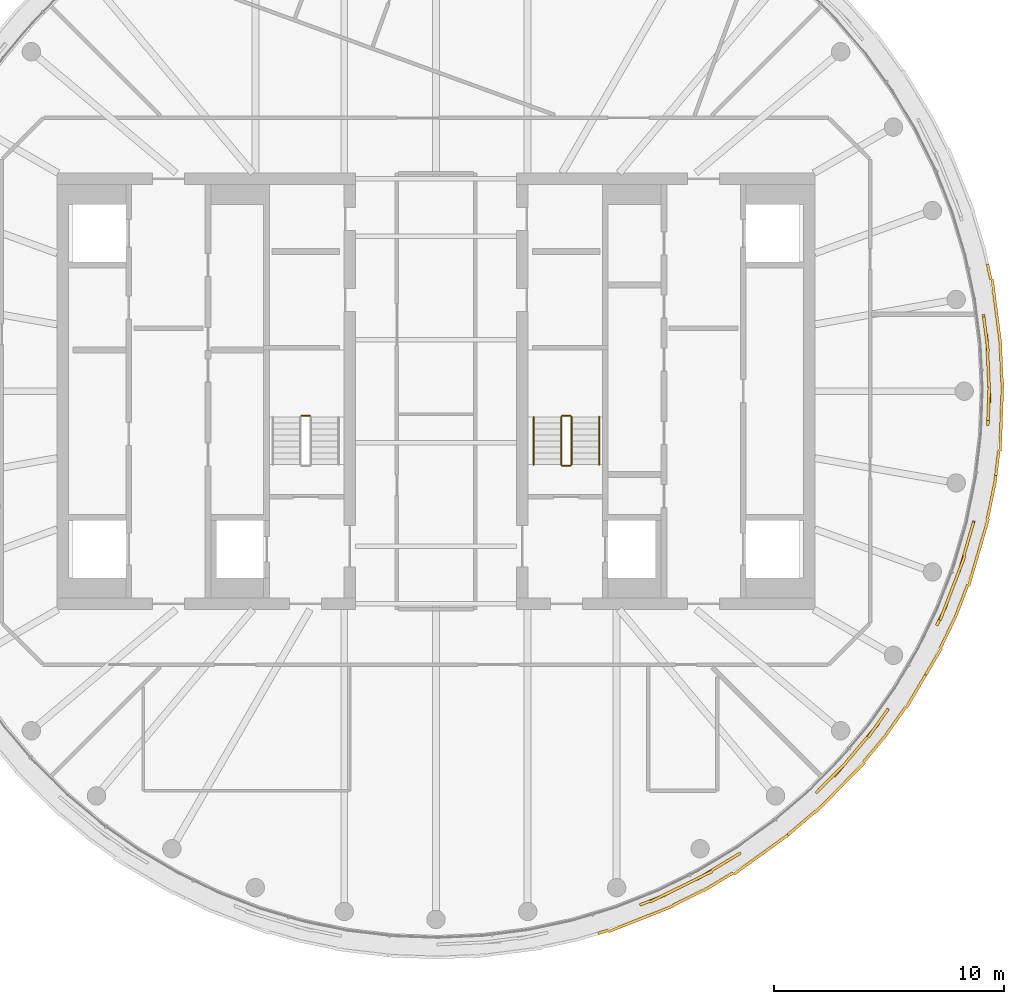
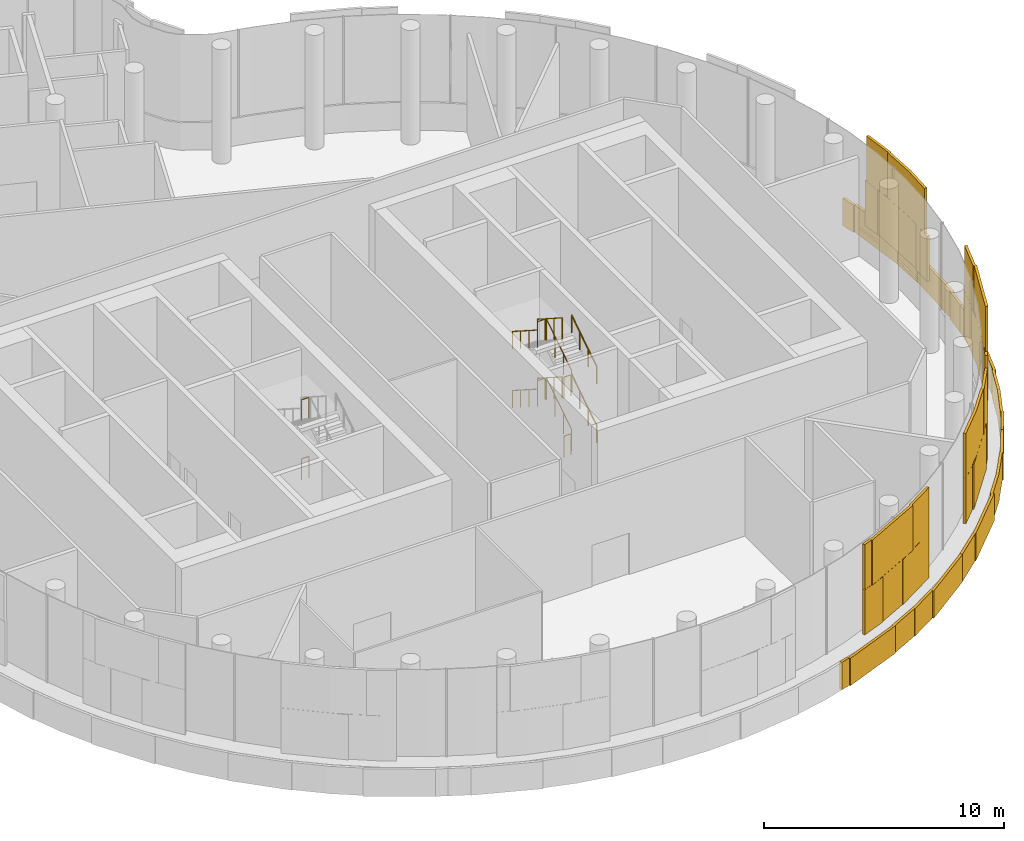
# One storey, part 16 of 18: 14 railings, 4 coverings.
"""IFC4 building model written with IfcOpenShell, lengths in metres."""

import ifcopenshell
import ifcopenshell.guid

model = None  # the IFC model being written
_history = None  # IfcOwnerHistory: only IFC2X3 demands one
_inside = {}  # id of a spatial element -> (the spatial element, [elements in it])
_under = {}  # id of a project, library or spatial element -> (it, [spatial elements below it])
_declared = {}  # id of a project -> (the project, [libraries it declares])
_typed = {}  # id of a type object -> (the type object, [elements of that type])
_made_of = {}  # id of a material, layer set ... -> (it, [elements and type objects made of it])


def new_model(schema):
    """Start an empty IFC model of exactly this schema.

    Asked for "IFC4X3", IfcOpenShell would pick the latest addendum, in which some entities
    have other attributes; the version numbers below select the first issue.
    IFC2X3 requires an IfcOwnerHistory on every rooted entity: one is made here for all.
    """
    global model, _history
    if schema == "IFC4X3":
        model = ifcopenshell.file(schema_version=(4, 3, 0, 0))
    else:
        model = ifcopenshell.file(schema=schema)
    _inside.clear()
    _under.clear()
    _declared.clear()
    _typed.clear()
    _made_of.clear()
    _history = None
    if model.schema == "IFC2X3":
        org = make("IfcOrganization", Name="unknown")
        user = make(
            "IfcPersonAndOrganization",
            ThePerson=make("IfcPerson", FamilyName="unknown"),
            TheOrganization=org,
        )
        app = make(
            "IfcApplication",
            ApplicationDeveloper=org,
            Version="unknown",
            ApplicationFullName="unknown",
            ApplicationIdentifier="unknown",
        )
        _history = make(
            "IfcOwnerHistory",
            OwningUser=user,
            OwningApplication=app,
            ChangeAction="ADDED",
            CreationDate=0,
        )
    return model


def make(cls, **values):
    """One entity of the class cls with the attributes given. An attribute that is None is left unset."""
    return model.create_entity(
        cls, **{name: value for name, value in values.items() if value is not None}
    )


def rooted(cls, **values):
    """An entity with a GlobalId (a new one), such as an element, a storey or a relation."""
    return make(cls, GlobalId=ifcopenshell.guid.new(), OwnerHistory=_history, **values)


def si_unit(unit_type, name, prefix=None):
    """IfcSIUnit, for example si_unit("LENGTHUNIT", "METRE", prefix="MILLI")."""
    return make("IfcSIUnit", UnitType=unit_type, Prefix=prefix, Name=name)


def assignment(units):
    """IfcUnitAssignment: the units of a project."""
    return None if units is None else make("IfcUnitAssignment", Units=units)


def point(xyz):
    """IfcCartesianPoint."""
    return None if xyz is None else make("IfcCartesianPoint", Coordinates=xyz)


def direction(xyz):
    """IfcDirection."""
    return None if xyz is None else make("IfcDirection", DirectionRatios=xyz)


def frame(location, z_axis=None, x_axis=None):
    """IfcAxis2Placement3D, a coordinate frame: its origin and axes. An axis left out is left unset."""
    return make(
        "IfcAxis2Placement3D",
        Location=point(location),
        Axis=direction(z_axis),
        RefDirection=direction(x_axis),
    )


def frame_2d(location, x_axis=None):
    """IfcAxis2Placement2D, a coordinate frame in the plane: its origin and x axis."""
    return make(
        "IfcAxis2Placement2D", Location=point(location), RefDirection=direction(x_axis)
    )


def origin():
    """The frame at (0, 0, 0) with its axes left unset."""
    return frame((0.0, 0.0, 0.0))


def origin_2d():
    """The frame at (0, 0) in the plane with its x axis left unset."""
    return frame_2d((0.0, 0.0))


def place(relative_to, where):
    """IfcLocalPlacement: puts the frame where relative to a parent placement (None: the world)."""
    return make(
        "IfcLocalPlacement", PlacementRelTo=relative_to, RelativePlacement=where
    )


def context(
    kind, dimensions, precision=None, world=None, true_north=None, identifier=None
):
    """IfcGeometricRepresentationContext, for example the 3D "Model" context."""
    return make(
        "IfcGeometricRepresentationContext",
        ContextIdentifier=identifier,
        ContextType=kind,
        CoordinateSpaceDimension=dimensions,
        Precision=precision,
        WorldCoordinateSystem=world,
        TrueNorth=true_north,
    )


def subcontext(parent, identifier, kind, view, scale=None):
    """IfcGeometricRepresentationSubContext, for example "Body" below "Model"."""
    return make(
        "IfcGeometricRepresentationSubContext",
        ContextIdentifier=identifier,
        ContextType=kind,
        ParentContext=parent,
        TargetScale=scale,
        TargetView=view,
    )


def project(units=None, contexts=None):
    """IfcProject with its units and contexts."""
    return rooted(
        "IfcProject",
        Name="project",
        RepresentationContexts=contexts,
        UnitsInContext=assignment(units),
    )


def spatial(cls, under=None, at=None, **own):
    """A site, building, storey or space (cls), placed at a placement, below another one or the project."""
    s = rooted(cls, ObjectPlacement=at, **own)
    if under is not None:
        _under.setdefault(under.id(), (under, []))[1].append(s)
    return s


def profile(cls, at=None, kind="AREA", **sizes):
    """A parametric profile (cls). Its sizes go by their IFC names, for example OverallWidth=200.0."""
    return make(cls, ProfileType=kind, Position=at, **sizes)


def rectangle(**sizes):
    """IfcRectangleProfileDef."""
    return profile("IfcRectangleProfileDef", **sizes)


def circle(**sizes):
    """IfcCircleProfileDef."""
    return profile("IfcCircleProfileDef", **sizes)


def extrude(swept, where, along, depth):
    """IfcExtrudedAreaSolid: the profile swept, set in the frame where, extruded along a direction by depth."""
    return make(
        "IfcExtrudedAreaSolid",
        SweptArea=swept,
        Position=where,
        ExtrudedDirection=direction(along),
        Depth=depth,
    )


def shape(context_of_items, identifier, shape_type, items):
    """IfcShapeRepresentation: the items that make up one representation, for example the "Body"."""
    return make(
        "IfcShapeRepresentation",
        ContextOfItems=context_of_items,
        RepresentationIdentifier=identifier,
        RepresentationType=shape_type,
        Items=items,
    )


def material(Name=None, Category=None):
    """IfcMaterial."""
    return make("IfcMaterial", Name=Name, Category=Category)


def layer(
    of_material, thickness, ventilated=None, Name=None, Category=None, Priority=None
):
    """IfcMaterialLayer: one layer of a wall or slab, of a material (None: an air gap)."""
    return make(
        "IfcMaterialLayer",
        Material=of_material,
        LayerThickness=thickness,
        IsVentilated=ventilated,
        Name=Name,
        Category=Category,
        Priority=Priority,
    )


def layer_set(layers, Name=None):
    """IfcMaterialLayerSet."""
    return make("IfcMaterialLayerSet", MaterialLayers=layers, LayerSetName=Name)


def made_of(thing, what):
    """Note that an element or type object is made of a material, layer set ...; save() writes the relation."""
    if what is not None:
        _made_of.setdefault(what.id(), (what, []))[1].append(thing)
    return thing


def type_object(cls, material=None, **own):
    """A type object (cls), such as IfcWallType, which elements share."""
    return made_of(rooted(cls, **own), material)


def element(
    cls,
    number,
    at=None,
    inside=None,
    cuts=None,
    type_object=None,
    material=None,
    context=None,
    identifier="Body",
    shape_type=None,
    held_by="IfcProductDefinitionShape",
    body=None,
    shapes=None,
    **own,
):
    """One element of the class cls, such as IfcWall. Its Tag is "e" and its number.

    at: its placement. inside: the storey or other place that contains it. cuts: it is an
    opening in that element (IfcRelVoidsElement). A single representation is given by context,
    identifier, shape_type and body (its items); several are given by shapes. held_by: the class
    of the entity that holds the representations. save() writes the other relations.
    """
    e = rooted(cls, Tag="e%d" % number, ObjectPlacement=at, **own)
    if body is not None:
        shapes = [shape(context, identifier, shape_type, body)]
    if shapes is not None:
        e.Representation = make(held_by, Representations=shapes)
    if inside is not None:
        _inside.setdefault(inside.id(), (inside, []))[1].append(e)
    if cuts is not None:
        rooted(
            "IfcRelVoidsElement", RelatingBuildingElement=cuts, RelatedOpeningElement=e
        )
    if type_object is not None:
        _typed.setdefault(type_object.id(), (type_object, []))[1].append(e)
    return made_of(e, material)


def aggregate(whole, parts):
    """IfcRelAggregates: a whole, such as a stair, and the parts it consists of."""
    return rooted("IfcRelAggregates", RelatingObject=whole, RelatedObjects=parts)


def save(model, path):
    """Write the relations noted so far, then the file.

    IfcRelAggregates (storeys below a building ...), IfcRelContainedInSpatialStructure (elements
    in a storey), IfcRelDefinesByType, IfcRelAssociatesMaterial and IfcRelDeclares: one each for
    every whole, place, type object, material and project.
    """
    for whole, parts in _under.values():
        aggregate(whole, parts)
    for where, things in _inside.values():
        rooted(
            "IfcRelContainedInSpatialStructure",
            RelatedElements=things,
            RelatingStructure=where,
        )
    for kind, things in _typed.values():
        rooted("IfcRelDefinesByType", RelatedObjects=things, RelatingType=kind)
    for what, things in _made_of.values():
        rooted("IfcRelAssociatesMaterial", RelatedObjects=things, RelatingMaterial=what)
    for by, libraries in _declared.values():
        rooted("IfcRelDeclares", RelatingContext=by, RelatedDefinitions=libraries)
    model.write(path)


model = new_model("IFC4")

# Units and contexts
model_context = context("Model", 3, precision=1e-05, world=origin(), true_north=direction((0.0, 1.0)))
body_context = subcontext(model_context, "Body", "Model", "MODEL_VIEW")
ifc_project = project(units=[si_unit("LENGTHUNIT", "METRE"), si_unit("AREAUNIT", "SQUARE_METRE"), si_unit("VOLUMEUNIT", "CUBIC_METRE"), si_unit("PLANEANGLEUNIT", "RADIAN"), si_unit("MASSUNIT", "GRAM", prefix="KILO")], contexts=[model_context])

# Site, building, storey
site_placement = place(None, origin())
site = spatial("IfcSite", under=ifc_project, at=site_placement, CompositionType="ELEMENT")
building_placement = place(site_placement, origin())
building = spatial("IfcBuilding", under=site, at=building_placement, Name="Tamarind Cross Interchange Tower", CompositionType="ELEMENT")
storey_placement = place(building_placement, frame((0.0, 0.0, 299.39990234375)))
storey = spatial("IfcBuildingStorey", under=building, at=storey_placement, Name="L74", CompositionType="ELEMENT", Elevation=299.39990234375)

# Railings
ifc_material_1 = material(Name="Stair guard")
railing_type_1 = type_object("IfcRailingType", Name="Stair guard", PredefinedType="GUARDRAIL", material=ifc_material_1)
for number, where, name in (
    (1, (-5.5, -1.070068359375, 1.5), "L74 ST1 stair guard 2"),
    (2, (-5.5, -1.070068359375, 4.5), "L74 ST1 stair guard 6"),
):
    element("IfcRailing", number, at=place(storey_placement, frame(where)), inside=storey, type_object=railing_type_1, Name=name, PredefinedType="GUARDRAIL", context=body_context, shape_type="SweptSolid", body=[
        extrude(circle(Radius=0.02392578125, at=origin_2d()), frame((0.0, 0.0, 1.076171875), z_axis=(-1.0, 0.0, 0.0), x_axis=(0.0, -1.0, 0.0)), (0.0, 0.0, 1.0), 0.35009765625),
        extrude(circle(Radius=0.02099609375, at=origin_2d()), origin(), (0.0, 0.0, 1.0), 1.052001953125),
        extrude(circle(Radius=0.02099609375, at=origin_2d()), frame((-0.35009765625, 0.0, 0.0)), (0.0, 0.0, 1.0), 1.052001953125),
    ])
railing_1_placement = place(storey_placement, frame((5.89990234375, -3.199951171875, 0.166748046875)))
element("IfcRailing", 3, at=railing_1_placement, inside=storey, type_object=railing_type_1, Name="L74 ST2 stair guard 1", PredefinedType="GUARDRAIL", context=body_context, shape_type="SweptSolid", body=[
    extrude(circle(Radius=0.02392578125, at=origin_2d()), frame((0.0, 0.0, 1.076171875), z_axis=(0.0, 0.84187453394, 0.539673298491), x_axis=(-1.0, 0.0, 0.0)), (0.0, 0.0, 1.0), 2.470458984375),
    extrude(circle(Radius=0.02099609375, at=origin_2d()), origin(), (0.0, 0.0, 1.0), 1.052001953125),
    extrude(circle(Radius=0.02099609375, at=origin_2d()), frame((0.0, 0.693359375, 0.4443359375)), (0.0, 0.0, 1.0), 1.052001953125),
    extrude(circle(Radius=0.02099609375, at=origin_2d()), frame((0.0, 1.386474609375, 0.888916015625)), (0.0, 0.0, 1.0), 1.052001953125),
    extrude(circle(Radius=0.02099609375, at=origin_2d()), frame((0.0, 2.079833984375, 1.333251953125)), (0.0, 0.0, 1.0), 1.052001953125),
])
railing_2_placement = place(storey_placement, frame((5.85009765625, -1.070068359375, 1.5)))
element("IfcRailing", 4, at=railing_2_placement, inside=storey, type_object=railing_type_1, Name="L74 ST2 stair guard 2", PredefinedType="GUARDRAIL", context=body_context, shape_type="SweptSolid", body=[
    extrude(circle(Radius=0.02392578125, at=origin_2d()), frame((0.0, 0.0, 1.076171875), z_axis=(-1.0, 0.0, 0.0), x_axis=(0.0, -1.0, 0.0)), (0.0, 0.0, 1.0), 0.35009765625),
    extrude(circle(Radius=0.02099609375, at=origin_2d()), origin(), (0.0, 0.0, 1.0), 1.052001953125),
    extrude(circle(Radius=0.02099609375, at=origin_2d()), frame((-0.35009765625, 0.0, 0.0)), (0.0, 0.0, 1.0), 1.052001953125),
])
railing_3_placement = place(storey_placement, frame((5.449951171875, -1.1201171875, 1.666748046875)))
element("IfcRailing", 5, at=railing_3_placement, inside=storey, type_object=railing_type_1, Name="L74 ST2 stair guard 3", PredefinedType="GUARDRAIL", context=body_context, shape_type="SweptSolid", body=[
    extrude(circle(Radius=0.02392578125, at=origin_2d()), frame((0.0, 0.0, 1.076171875), z_axis=(0.0, -0.84187453394, 0.539673298491), x_axis=(1.0, 0.0, 0.0)), (0.0, 0.0, 1.0), 2.470458984375),
    extrude(circle(Radius=0.02099609375, at=origin_2d()), origin(), (0.0, 0.0, 1.0), 1.052001953125),
    extrude(circle(Radius=0.02099609375, at=origin_2d()), frame((0.0, -0.693359375, 0.4443359375)), (0.0, 0.0, 1.0), 1.052001953125),
    extrude(circle(Radius=0.02099609375, at=origin_2d()), frame((0.0, -1.386474609375, 0.888916015625)), (0.0, 0.0, 1.0), 1.052001953125),
    extrude(circle(Radius=0.02099609375, at=origin_2d()), frame((0.0, -2.079833984375, 1.333251953125)), (0.0, 0.0, 1.0), 1.052001953125),
])
railing_4_placement = place(storey_placement, frame((5.85009765625, -3.25, 3.0)))
element("IfcRailing", 6, at=railing_4_placement, inside=storey, type_object=railing_type_1, Name="L74 ST2 stair guard 4", PredefinedType="GUARDRAIL", context=body_context, shape_type="SweptSolid", body=[
    extrude(circle(Radius=0.02392578125, at=origin_2d()), frame((0.0, 0.0, 1.076171875), z_axis=(-1.0, 0.0, 0.0), x_axis=(0.0, -1.0, 0.0)), (0.0, 0.0, 1.0), 0.35009765625),
    extrude(circle(Radius=0.02099609375, at=origin_2d()), origin(), (0.0, 0.0, 1.0), 1.052001953125),
    extrude(circle(Radius=0.02099609375, at=origin_2d()), frame((-0.35009765625, 0.0, 0.0)), (0.0, 0.0, 1.0), 1.052001953125),
])
railing_5_placement = place(storey_placement, frame((5.89990234375, -3.199951171875, 3.166748046875)))
element("IfcRailing", 7, at=railing_5_placement, inside=storey, type_object=railing_type_1, Name="L74 ST2 stair guard 5", PredefinedType="GUARDRAIL", context=body_context, shape_type="SweptSolid", body=[
    extrude(circle(Radius=0.02392578125, at=origin_2d()), frame((0.0, 0.0, 1.076171875), z_axis=(0.0, 0.84187453394, 0.539673298491), x_axis=(-1.0, 0.0, 0.0)), (0.0, 0.0, 1.0), 2.470458984375),
    extrude(circle(Radius=0.02099609375, at=origin_2d()), origin(), (0.0, 0.0, 1.0), 1.052001953125),
    extrude(circle(Radius=0.02099609375, at=origin_2d()), frame((0.0, 0.693359375, 0.4443359375)), (0.0, 0.0, 1.0), 1.052001953125),
    extrude(circle(Radius=0.02099609375, at=origin_2d()), frame((0.0, 1.386474609375, 0.888916015625)), (0.0, 0.0, 1.0), 1.052001953125),
    extrude(circle(Radius=0.02099609375, at=origin_2d()), frame((0.0, 2.079833984375, 1.333251953125)), (0.0, 0.0, 1.0), 1.052001953125),
])
railing_6_placement = place(storey_placement, frame((5.85009765625, -1.070068359375, 4.5)))
element("IfcRailing", 8, at=railing_6_placement, inside=storey, type_object=railing_type_1, Name="L74 ST2 stair guard 6", PredefinedType="GUARDRAIL", context=body_context, shape_type="SweptSolid", body=[
    extrude(circle(Radius=0.02392578125, at=origin_2d()), frame((0.0, 0.0, 1.076171875), z_axis=(-1.0, 0.0, 0.0), x_axis=(0.0, -1.0, 0.0)), (0.0, 0.0, 1.0), 0.35009765625),
    extrude(circle(Radius=0.02099609375, at=origin_2d()), origin(), (0.0, 0.0, 1.0), 1.052001953125),
    extrude(circle(Radius=0.02099609375, at=origin_2d()), frame((-0.35009765625, 0.0, 0.0)), (0.0, 0.0, 1.0), 1.052001953125),
])
railing_7_placement = place(storey_placement, frame((5.449951171875, -1.1201171875, 4.666748046875)))
element("IfcRailing", 9, at=railing_7_placement, inside=storey, type_object=railing_type_1, Name="L74 ST2 stair guard 7", PredefinedType="GUARDRAIL", context=body_context, shape_type="SweptSolid", body=[
    extrude(circle(Radius=0.02392578125, at=origin_2d()), frame((0.0, 0.0, 1.076171875), z_axis=(0.0, -0.84187453394, 0.539673298491), x_axis=(1.0, 0.0, 0.0)), (0.0, 0.0, 1.0), 2.470458984375),
    extrude(circle(Radius=0.02099609375, at=origin_2d()), origin(), (0.0, 0.0, 1.0), 1.052001953125),
    extrude(circle(Radius=0.02099609375, at=origin_2d()), frame((0.0, -0.693359375, 0.4443359375)), (0.0, 0.0, 1.0), 1.052001953125),
    extrude(circle(Radius=0.02099609375, at=origin_2d()), frame((0.0, -1.386474609375, 0.888916015625)), (0.0, 0.0, 1.0), 1.052001953125),
    extrude(circle(Radius=0.02099609375, at=origin_2d()), frame((0.0, -2.079833984375, 1.333251953125)), (0.0, 0.0, 1.0), 1.052001953125),
])
railing_8_placement = place(storey_placement, frame((5.85009765625, -3.25, 0.0)))
element("IfcRailing", 10, at=railing_8_placement, inside=storey, type_object=railing_type_1, Name="L74 ST2 stair guard 8", PredefinedType="GUARDRAIL", context=body_context, shape_type="SweptSolid", body=[
    extrude(circle(Radius=0.02392578125, at=origin_2d()), frame((0.0, 0.0, 1.076171875), z_axis=(-1.0, 0.0, 0.0), x_axis=(0.0, -1.0, 0.0)), (0.0, 0.0, 1.0), 0.35009765625),
    extrude(circle(Radius=0.02099609375, at=origin_2d()), origin(), (0.0, 0.0, 1.0), 1.052001953125),
    extrude(circle(Radius=0.02099609375, at=origin_2d()), frame((-0.35009765625, 0.0, 0.0)), (0.0, 0.0, 1.0), 1.052001953125),
])
ifc_material_2 = material(Name="Stair handrail")
railing_type_2 = type_object("IfcRailingType", Name="Stair handrail", PredefinedType="HANDRAIL", material=ifc_material_2)
railing_9_placement = place(storey_placement, frame((7.10009765625, -3.199951171875, 0.166748046875)))
element("IfcRailing", 11, at=railing_9_placement, inside=storey, type_object=railing_type_2, Name="L74 ST2 stair handrail 1", PredefinedType="HANDRAIL", context=body_context, shape_type="SweptSolid", body=[
    extrude(circle(Radius=0.02392578125, at=origin_2d()), frame((0.0, 0.0, 0.8759765625), z_axis=(0.0, 0.84187453394, 0.539673298491), x_axis=(-1.0, 0.0, 0.0)), (0.0, 0.0, 1.0), 2.470458984375),
    extrude(circle(Radius=0.02099609375, at=origin_2d()), origin(), (0.0, 0.0, 1.0), 0.851806640625),
    extrude(circle(Radius=0.02099609375, at=origin_2d()), frame((0.0, 0.693359375, 0.4443359375)), (0.0, 0.0, 1.0), 0.851806640625),
    extrude(circle(Radius=0.02099609375, at=origin_2d()), frame((0.0, 1.386474609375, 0.888916015625)), (0.0, 0.0, 1.0), 0.851806640625),
    extrude(circle(Radius=0.02099609375, at=origin_2d()), frame((0.0, 2.079833984375, 1.333251953125)), (0.0, 0.0, 1.0), 0.851806640625),
])
railing_10_placement = place(storey_placement, frame((4.25, -1.1201171875, 1.666748046875)))
element("IfcRailing", 12, at=railing_10_placement, inside=storey, type_object=railing_type_2, Name="L74 ST2 stair handrail 2", PredefinedType="HANDRAIL", context=body_context, shape_type="SweptSolid", body=[
    extrude(circle(Radius=0.02392578125, at=origin_2d()), frame((0.0, 0.0, 0.8759765625), z_axis=(0.0, -0.84187453394, 0.539673298491), x_axis=(1.0, 0.0, 0.0)), (0.0, 0.0, 1.0), 2.470458984375),
    extrude(circle(Radius=0.02099609375, at=origin_2d()), origin(), (0.0, 0.0, 1.0), 0.851806640625),
    extrude(circle(Radius=0.02099609375, at=origin_2d()), frame((0.0, -0.693359375, 0.4443359375)), (0.0, 0.0, 1.0), 0.851806640625),
    extrude(circle(Radius=0.02099609375, at=origin_2d()), frame((0.0, -1.386474609375, 0.888916015625)), (0.0, 0.0, 1.0), 0.851806640625),
    extrude(circle(Radius=0.02099609375, at=origin_2d()), frame((0.0, -2.079833984375, 1.333251953125)), (0.0, 0.0, 1.0), 0.851806640625),
])
railing_11_placement = place(storey_placement, frame((7.10009765625, -3.199951171875, 3.166748046875)))
element("IfcRailing", 13, at=railing_11_placement, inside=storey, type_object=railing_type_2, Name="L74 ST2 stair handrail 3", PredefinedType="HANDRAIL", context=body_context, shape_type="SweptSolid", body=[
    extrude(circle(Radius=0.02392578125, at=origin_2d()), frame((0.0, 0.0, 0.8759765625), z_axis=(0.0, 0.84187453394, 0.539673298491), x_axis=(-1.0, 0.0, 0.0)), (0.0, 0.0, 1.0), 2.470458984375),
    extrude(circle(Radius=0.02099609375, at=origin_2d()), origin(), (0.0, 0.0, 1.0), 0.851806640625),
    extrude(circle(Radius=0.02099609375, at=origin_2d()), frame((0.0, 0.693359375, 0.4443359375)), (0.0, 0.0, 1.0), 0.851806640625),
    extrude(circle(Radius=0.02099609375, at=origin_2d()), frame((0.0, 1.386474609375, 0.888916015625)), (0.0, 0.0, 1.0), 0.851806640625),
    extrude(circle(Radius=0.02099609375, at=origin_2d()), frame((0.0, 2.079833984375, 1.333251953125)), (0.0, 0.0, 1.0), 0.851806640625),
])
railing_12_placement = place(storey_placement, frame((4.25, -1.1201171875, 4.666748046875)))
element("IfcRailing", 14, at=railing_12_placement, inside=storey, type_object=railing_type_2, Name="L74 ST2 stair handrail 4", PredefinedType="HANDRAIL", context=body_context, shape_type="SweptSolid", body=[
    extrude(circle(Radius=0.02392578125, at=origin_2d()), frame((0.0, 0.0, 0.8759765625), z_axis=(0.0, -0.84187453394, 0.539673298491), x_axis=(1.0, 0.0, 0.0)), (0.0, 0.0, 1.0), 2.470458984375),
    extrude(circle(Radius=0.02099609375, at=origin_2d()), origin(), (0.0, 0.0, 1.0), 0.851806640625),
    extrude(circle(Radius=0.02099609375, at=origin_2d()), frame((0.0, -0.693359375, 0.4443359375)), (0.0, 0.0, 1.0), 0.851806640625),
    extrude(circle(Radius=0.02099609375, at=origin_2d()), frame((0.0, -1.386474609375, 0.888916015625)), (0.0, 0.0, 1.0), 0.851806640625),
    extrude(circle(Radius=0.02099609375, at=origin_2d()), frame((0.0, -2.079833984375, 1.333251953125)), (0.0, 0.0, 1.0), 0.851806640625),
])

# Coverings
ifc_material_3 = material(Name="Terracotta", Category="masonry")
ifc_layer = layer(ifc_material_3, 0.1201171875)
ifc_layer_set = layer_set([ifc_layer], Name="Terracotta")
covering_type = type_object("IfcCoveringType", Name="Terracotta baguette screen unit", PredefinedType="MOLDING", material=ifc_layer_set)
covering_1_placement = place(storey_placement, origin())
element("IfcCovering", 15, at=covering_1_placement, inside=storey, type_object=covering_type, Name="SCR-L74-02-07", PredefinedType="MOLDING", context=body_context, shape_type="SweptSolid", body=[
    extrude(rectangle(XDim=1.22509765625, YDim=0.1201171875, at=origin_2d()), frame((9.443115234375, -22.144775390625, 1.404052734375), z_axis=(0.0, 0.0, 1.0), x_axis=(0.930018078613, 0.367513773146, 0.0)), (0.0, 0.0, 1.0), 2.2919921875),
    extrude(rectangle(XDim=1.52001953125, YDim=0.1201171875, at=origin_2d()), frame((10.671875, -21.56982421875, 1.404052734375), z_axis=(0.0, 0.0, 1.0), x_axis=(0.896492548518, 0.443058811505, 0.0)), (0.0, 0.0, 1.0), 2.2919921875),
    extrude(rectangle(XDim=1.52001953125, YDim=0.1201171875, at=origin_2d()), frame((11.996337890625, -20.867919921875, 1.404052734375), z_axis=(0.0, 0.0, 1.0), x_axis=(0.856843065292, 0.515577308909, 0.0)), (0.0, 0.0, 1.0), 2.2919921875),
    extrude(rectangle(XDim=0.73779296875, YDim=0.1201171875, at=origin_2d()), frame((12.95068359375, -20.29345703125, 1.404052734375), z_axis=(0.0, 0.0, 1.0), x_axis=(0.856843065292, 0.515577308909, 0.0)), (0.0, 0.0, 1.0), 2.2919921875),
    extrude(rectangle(XDim=0.47509765625, YDim=0.1201171875, at=origin_2d()), frame((9.094482421875, -22.282470703125, 3.7041015625), z_axis=(0.0, 0.0, 1.0), x_axis=(0.930018078613, 0.367513773146, 0.0)), (0.0, 0.0, 1.0), 2.2919921875),
    extrude(rectangle(XDim=1.52001953125, YDim=0.1201171875, at=origin_2d()), frame((9.99951171875, -21.902099609375, 3.7041015625), z_axis=(0.0, 0.0, 1.0), x_axis=(0.896492548518, 0.443058811505, 0.0)), (0.0, 0.0, 1.0), 2.2919921875),
    extrude(rectangle(XDim=1.52001953125, YDim=0.1201171875, at=origin_2d()), frame((11.34423828125, -21.237548828125, 3.7041015625), z_axis=(0.0, 0.0, 1.0), x_axis=(0.896492548518, 0.443058811505, 0.0)), (0.0, 0.0, 1.0), 2.2919921875),
    extrude(rectangle(XDim=1.48779296875, YDim=0.1201171875, at=origin_2d()), frame((12.62939453125, -20.48681640625, 3.7041015625), z_axis=(0.0, 0.0, 1.0), x_axis=(0.856843065292, 0.515577308909, 0.0)), (0.0, 0.0, 1.0), 2.2919921875),
    extrude(rectangle(XDim=0.46875, YDim=0.1201171875, at=origin_2d()), frame((7.284912109375, -23.53857421875, 0.004150390625), z_axis=(0.0, 0.0, 1.0), x_axis=(0.957190642199, 0.289458243079, 0.0)), (0.0, 0.0, 1.0), 1.39208984375),
    extrude(rectangle(XDim=1.52001953125, YDim=0.1201171875, at=origin_2d()), frame((8.21435546875, -23.24755859375, 0.004150390625), z_axis=(0.0, 0.0, 1.0), x_axis=(0.930018078613, 0.367513773146, 0.0)), (0.0, 0.0, 1.0), 1.39208984375),
    extrude(rectangle(XDim=1.52001953125, YDim=0.1201171875, at=origin_2d()), frame((9.609375, -22.6962890625, 0.004150390625), z_axis=(0.0, 0.0, 1.0), x_axis=(0.930018078613, 0.367513773146, 0.0)), (0.0, 0.0, 1.0), 1.39208984375),
    extrude(rectangle(XDim=1.52001953125, YDim=0.1201171875, at=origin_2d()), frame((10.96826171875, -22.063720703125, 0.004150390625), z_axis=(0.0, 0.0, 1.0), x_axis=(0.896492548518, 0.443058811505, 0.0)), (0.0, 0.0, 1.0), 1.39208984375),
    extrude(rectangle(XDim=1.52001953125, YDim=0.1201171875, at=origin_2d()), frame((12.291748046875, -21.35986328125, 0.004150390625), z_axis=(0.0, 0.0, 1.0), x_axis=(0.856843065292, 0.515577308909, 0.0)), (0.0, 0.0, 1.0), 1.39208984375),
    extrude(rectangle(XDim=1.52001953125, YDim=0.1201171875, at=origin_2d()), frame((13.576904296875, -20.586669921875, 0.004150390625), z_axis=(0.0, 0.0, 1.0), x_axis=(0.811340475102, 0.584573890505, 0.0)), (0.0, 0.0, 1.0), 1.39208984375),
    extrude(rectangle(XDim=1.412353515625, YDim=0.1201171875, at=origin_2d()), frame((14.750244140625, -19.7412109375, 0.004150390625), z_axis=(0.0, 0.0, 1.0), x_axis=(0.811340475102, 0.584573890505, 0.0)), (0.0, 0.0, 1.0), 1.39208984375),
])
covering_2_placement = place(storey_placement, origin())
element("IfcCovering", 16, at=covering_2_placement, inside=storey, type_object=covering_type, Name="SCR-L74-02-08", PredefinedType="MOLDING", context=body_context, shape_type="SweptSolid", body=[
    extrude(rectangle(XDim=1.082275390625, YDim=0.1201171875, at=origin_2d()), frame((16.922119140625, -17.112548828125, 1.404052734375), z_axis=(0.0, 0.0, 1.0), x_axis=(0.704057148523, 0.710143317658, 0.0)), (0.0, 0.0, 1.0), 2.2919921875),
    extrude(rectangle(XDim=1.52001953125, YDim=0.1201171875, at=origin_2d()), frame((17.824462890625, -16.1962890625, 1.404052734375), z_axis=(0.0, 0.0, 1.0), x_axis=(0.643009266048, 0.765858396687, 0.0)), (0.0, 0.0, 1.0), 2.2919921875),
    extrude(rectangle(XDim=1.52001953125, YDim=0.1201171875, at=origin_2d()), frame((18.7890625, -15.047607421875, 1.404052734375), z_axis=(0.0, 0.0, 1.0), x_axis=(0.643009266048, 0.765858396687, 0.0)), (0.0, 0.0, 1.0), 2.2919921875),
    extrude(rectangle(XDim=0.781005859375, YDim=0.1201171875, at=origin_2d()), frame((19.473388671875, -14.142822265625, 1.404052734375), z_axis=(0.0, 0.0, 1.0), x_axis=(0.577568978284, 0.816341886298, 0.0)), (0.0, 0.0, 1.0), 2.2919921875),
    extrude(rectangle(XDim=0.332275390625, YDim=0.1201171875, at=origin_2d()), frame((16.658203125, -17.37890625, 3.7041015625), z_axis=(0.0, 0.0, 1.0), x_axis=(0.704057148523, 0.710143317658, 0.0)), (0.0, 0.0, 1.0), 2.2919921875),
    extrude(rectangle(XDim=1.52001953125, YDim=0.1201171875, at=origin_2d()), frame((17.299560546875, -16.73193359375, 3.7041015625), z_axis=(0.0, 0.0, 1.0), x_axis=(0.704057148523, 0.710143317658, 0.0)), (0.0, 0.0, 1.0), 2.2919921875),
    extrude(rectangle(XDim=1.52001953125, YDim=0.1201171875, at=origin_2d()), frame((18.306640625, -15.6220703125, 3.7041015625), z_axis=(0.0, 0.0, 1.0), x_axis=(0.643009266048, 0.765858396687, 0.0)), (0.0, 0.0, 1.0), 2.2919921875),
    extrude(rectangle(XDim=1.52001953125, YDim=0.1201171875, at=origin_2d()), frame((19.250732421875, -14.45751953125, 3.7041015625), z_axis=(0.0, 0.0, 1.0), x_axis=(0.577568978284, 0.816341886298, 0.0)), (0.0, 0.0, 1.0), 2.2919921875),
    extrude(rectangle(XDim=0.107666015625, YDim=0.1201171875, at=origin_2d()), frame((15.3583984375, -19.285888671875, 0.004150390625), z_axis=(0.0, 0.0, 1.0), x_axis=(0.760295606781, 0.64957723968, 0.0)), (0.0, 0.0, 1.0), 1.39208984375),
    extrude(rectangle(XDim=1.52001953125, YDim=0.1201171875, at=origin_2d()), frame((15.9619140625, -18.770263671875, 0.004150390625), z_axis=(0.0, 0.0, 1.0), x_axis=(0.760295606781, 0.64957723968, 0.0)), (0.0, 0.0, 1.0), 1.39208984375),
    extrude(rectangle(XDim=1.52001953125, YDim=0.1201171875, at=origin_2d()), frame((17.078369140625, -17.770263671875, 0.004150390625), z_axis=(0.0, 0.0, 1.0), x_axis=(0.704057148523, 0.710143317658, 0.0)), (0.0, 0.0, 1.0), 1.39208984375),
    extrude(rectangle(XDim=1.52001953125, YDim=0.1201171875, at=origin_2d()), frame((18.134521484375, -16.705078125, 0.004150390625), z_axis=(0.0, 0.0, 1.0), x_axis=(0.704057148523, 0.710143317658, 0.0)), (0.0, 0.0, 1.0), 1.39208984375),
    extrude(rectangle(XDim=1.52001953125, YDim=0.1201171875, at=origin_2d()), frame((19.10595703125, -15.562744140625, 0.004150390625), z_axis=(0.0, 0.0, 1.0), x_axis=(0.643009266048, 0.765858396687, 0.0)), (0.0, 0.0, 1.0), 1.39208984375),
    extrude(rectangle(XDim=1.52001953125, YDim=0.1201171875, at=origin_2d()), frame((20.01513671875, -14.37109375, 0.004150390625), z_axis=(0.0, 0.0, 1.0), x_axis=(0.577568978284, 0.816341886298, 0.0)), (0.0, 0.0, 1.0), 1.39208984375),
    extrude(rectangle(XDim=1.52001953125, YDim=0.1201171875, at=origin_2d()), frame((20.85986328125, -13.132568359375, 0.004150390625), z_axis=(0.0, 0.0, 1.0), x_axis=(0.508183308752, 0.861248933065, 0.0)), (0.0, 0.0, 1.0), 1.39208984375),
    extrude(rectangle(XDim=0.17138671875, YDim=0.1201171875, at=origin_2d()), frame((21.279541015625, -12.421630859375, 0.004150390625), z_axis=(0.0, 0.0, 1.0), x_axis=(0.508183308752, 0.861248933065, 0.0)), (0.0, 0.0, 1.0), 1.39208984375),
])
covering_3_placement = place(storey_placement, origin())
element("IfcCovering", 17, at=covering_3_placement, inside=storey, type_object=covering_type, Name="SCR-L74-02-09", PredefinedType="MOLDING", context=body_context, shape_type="SweptSolid", body=[
    extrude(rectangle(XDim=1.038818359375, YDim=0.1201171875, at=origin_2d()), frame((22.022705078125, -9.737548828125, 1.404052734375), z_axis=(0.0, 0.0, 1.0), x_axis=(0.435326231914, 0.900272776334, 0.0)), (0.0, 0.0, 1.0), 2.2919921875),
    extrude(rectangle(XDim=1.52001953125, YDim=0.1201171875, at=origin_2d()), frame((22.490478515625, -8.5634765625, 1.404052734375), z_axis=(0.0, 0.0, 1.0), x_axis=(0.359495435512, 0.933146843667, 0.0)), (0.0, 0.0, 1.0), 2.2919921875),
    extrude(rectangle(XDim=1.52001953125, YDim=0.1201171875, at=origin_2d()), frame((22.98291015625, -7.14794921875, 1.404052734375), z_axis=(0.0, 0.0, 1.0), x_axis=(0.281208920763, 0.95964657186, 0.0)), (0.0, 0.0, 1.0), 2.2919921875),
    extrude(rectangle(XDim=0.82373046875, YDim=0.1201171875, at=origin_2d()), frame((23.30810546875, -6.03759765625, 1.404052734375), z_axis=(0.0, 0.0, 1.0), x_axis=(0.281208920763, 0.95964657186, 0.0)), (0.0, 0.0, 1.0), 2.2919921875),
    extrude(rectangle(XDim=1.52001953125, YDim=0.1201171875, at=origin_2d()), frame((22.220947265625, -9.26318359375, 3.7041015625), z_axis=(0.0, 0.0, 1.0), x_axis=(0.359495435512, 0.933146843667, 0.0)), (0.0, 0.0, 1.0), 2.2919921875),
    extrude(rectangle(XDim=1.52001953125, YDim=0.1201171875, at=origin_2d()), frame((22.760009765625, -7.863525390625, 3.7041015625), z_axis=(0.0, 0.0, 1.0), x_axis=(0.359495435512, 0.933146843667, 0.0)), (0.0, 0.0, 1.0), 2.2919921875),
    extrude(rectangle(XDim=1.52001953125, YDim=0.1201171875, at=origin_2d()), frame((23.19384765625, -6.427978515625, 3.7041015625), z_axis=(0.0, 0.0, 1.0), x_axis=(0.281208920763, 0.95964657186, 0.0)), (0.0, 0.0, 1.0), 2.2919921875),
    extrude(rectangle(XDim=1.3486328125, YDim=0.1201171875, at=origin_2d()), frame((21.665771484375, -11.76708984375, 0.004150390625), z_axis=(0.0, 0.0, 1.0), x_axis=(0.508183308752, 0.861248933065, 0.0)), (0.0, 0.0, 1.0), 1.39208984375),
    extrude(rectangle(XDim=1.52001953125, YDim=0.1201171875, at=origin_2d()), frame((22.2919921875, -10.499267578125, 0.004150390625), z_axis=(0.0, 0.0, 1.0), x_axis=(0.435326231914, 0.900272776334, 0.0)), (0.0, 0.0, 1.0), 1.39208984375),
    extrude(rectangle(XDim=1.52001953125, YDim=0.1201171875, at=origin_2d()), frame((22.889404296875, -9.124755859375, 0.004150390625), z_axis=(0.0, 0.0, 1.0), x_axis=(0.359495435512, 0.933146843667, 0.0)), (0.0, 0.0, 1.0), 1.39208984375),
    extrude(rectangle(XDim=1.52001953125, YDim=0.1201171875, at=origin_2d()), frame((23.413330078125, -7.719970703125, 0.004150390625), z_axis=(0.0, 0.0, 1.0), x_axis=(0.281208920763, 0.95964657186, 0.0)), (0.0, 0.0, 1.0), 1.39208984375),
    extrude(rectangle(XDim=1.52001953125, YDim=0.1201171875, at=origin_2d()), frame((23.835205078125, -6.280517578125, 0.004150390625), z_axis=(0.0, 0.0, 1.0), x_axis=(0.281208920763, 0.95964657186, 0.0)), (0.0, 0.0, 1.0), 1.39208984375),
    extrude(rectangle(XDim=1.52001953125, YDim=0.1201171875, at=origin_2d()), frame((24.164306640625, -4.81787109375, 0.004150390625), z_axis=(0.0, 0.0, 1.0), x_axis=(0.201001463943, 0.9795909409, 0.0)), (0.0, 0.0, 1.0), 1.39208984375),
    extrude(rectangle(XDim=0.4296875, YDim=0.1201171875, at=origin_2d()), frame((24.35009765625, -3.881591796875, 0.004150390625), z_axis=(0.0, 0.0, 1.0), x_axis=(0.119420963295, 0.992843710523, 0.0)), (0.0, 0.0, 1.0), 1.39208984375),
])
covering_4_placement = place(storey_placement, origin())
element("IfcCovering", 18, at=covering_4_placement, inside=storey, type_object=covering_type, Name="SCR-L74-02-10", PredefinedType="MOLDING", context=body_context, shape_type="SweptSolid", body=[
    extrude(rectangle(XDim=0.996337890625, YDim=0.1201171875, at=origin_2d()), frame((24.044921875, -1.002685546875, 1.404052734375), z_axis=(0.0, 0.0, 1.0), x_axis=(0.037024696392, 0.999314350871, 0.0)), (0.0, 0.0, 1.0), 2.2919921875),
    extrude(rectangle(XDim=1.52001953125, YDim=0.1201171875, at=origin_2d()), frame((24.07958984375, 0.23974609375, 1.404052734375), z_axis=(0.0, 0.0, 1.0), x_axis=(-0.045624486728, 0.998958660912, 0.0)), (0.0, 0.0, 1.0), 2.2919921875),
    extrude(rectangle(XDim=1.52001953125, YDim=0.1201171875, at=origin_2d()), frame((24.01123046875, 1.738037109375, 1.404052734375), z_axis=(0.0, 0.0, 1.0), x_axis=(-0.045624486728, 0.998958660912, 0.0)), (0.0, 0.0, 1.0), 2.2919921875),
    extrude(rectangle(XDim=0.8671875, YDim=0.1201171875, at=origin_2d()), frame((23.8896484375, 2.909423828125, 1.404052734375), z_axis=(0.0, 0.0, 1.0), x_axis=(-0.127962008342, 0.991779070368, 0.0)), (0.0, 0.0, 1.0), 2.2919921875),
    extrude(rectangle(XDim=1.52001953125, YDim=0.1201171875, at=origin_2d()), frame((24.06298828125, -0.509765625, 3.7041015625), z_axis=(0.0, 0.0, 1.0), x_axis=(0.037024696392, 0.999314350871, 0.0)), (0.0, 0.0, 1.0), 2.2919921875),
    extrude(rectangle(XDim=1.52001953125, YDim=0.1201171875, at=origin_2d()), frame((24.04541015625, 0.98876953125, 3.7041015625), z_axis=(0.0, 0.0, 1.0), x_axis=(-0.045624486728, 0.998958660912, 0.0)), (0.0, 0.0, 1.0), 2.2919921875),
    extrude(rectangle(XDim=1.52001953125, YDim=0.1201171875, at=origin_2d()), frame((23.9443359375, 2.484375, 3.7041015625), z_axis=(0.0, 0.0, 1.0), x_axis=(-0.127962008342, 0.991779070368, 0.0)), (0.0, 0.0, 1.0), 2.2919921875),
    extrude(rectangle(XDim=1.09033203125, YDim=0.1201171875, at=origin_2d()), frame((24.44091796875, -3.127197265625, 0.004150390625), z_axis=(0.0, 0.0, 1.0), x_axis=(0.119420963295, 0.992843710523, 0.0)), (0.0, 0.0, 1.0), 1.39208984375),
    extrude(rectangle(XDim=1.52001953125, YDim=0.1201171875, at=origin_2d()), frame((24.587890625, -1.8505859375, 0.004150390625), z_axis=(0.0, 0.0, 1.0), x_axis=(0.037024696392, 0.999314350871, 0.0)), (0.0, 0.0, 1.0), 1.39208984375),
    extrude(rectangle(XDim=1.52001953125, YDim=0.1201171875, at=origin_2d()), frame((24.643310546875, -0.3515625, 0.004150390625), z_axis=(0.0, 0.0, 1.0), x_axis=(0.037024696392, 0.999314350871, 0.0)), (0.0, 0.0, 1.0), 1.39208984375),
    extrude(rectangle(XDim=1.52001953125, YDim=0.1201171875, at=origin_2d()), frame((24.61279296875, 1.14697265625, 0.004150390625), z_axis=(0.0, 0.0, 1.0), x_axis=(-0.045624486728, 0.998958660912, 0.0)), (0.0, 0.0, 1.0), 1.39208984375),
    extrude(rectangle(XDim=1.52001953125, YDim=0.1201171875, at=origin_2d()), frame((24.5029296875, 2.641845703125, 0.004150390625), z_axis=(0.0, 0.0, 1.0), x_axis=(-0.127962008342, 0.991779070368, 0.0)), (0.0, 0.0, 1.0), 1.39208984375),
    extrude(rectangle(XDim=1.52001953125, YDim=0.1201171875, at=origin_2d()), frame((24.310791015625, 4.12939453125, 0.004150390625), z_axis=(0.0, 0.0, 1.0), x_axis=(-0.127962008342, 0.991779070368, 0.0)), (0.0, 0.0, 1.0), 1.39208984375),
    extrude(rectangle(XDim=0.688720703125, YDim=0.1201171875, at=origin_2d()), frame((24.086669921875, 5.190185546875, 0.004150390625), z_axis=(0.0, 0.0, 1.0), x_axis=(-0.209425419705, 0.977824623121, 0.0)), (0.0, 0.0, 1.0), 1.39208984375),
])

save(model, "model.ifc")
